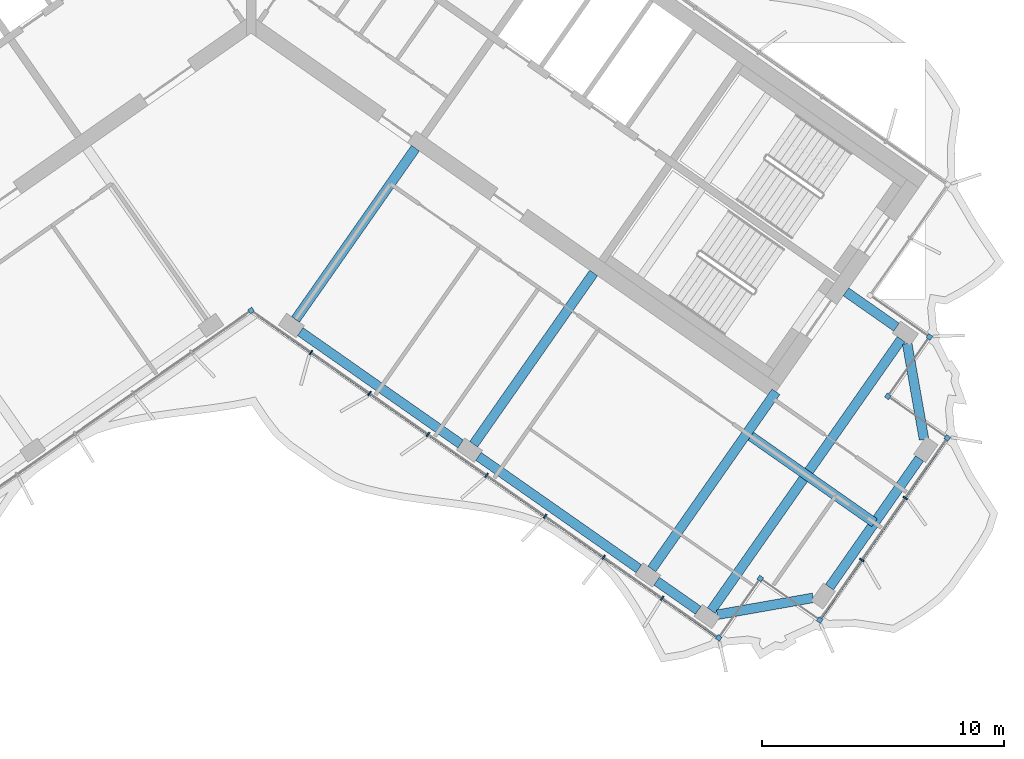
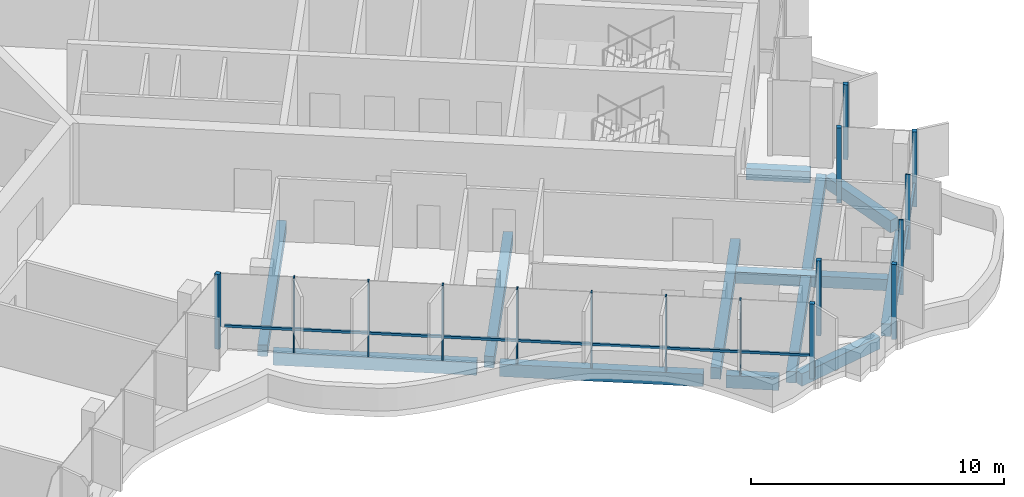
# One storey, part 4 of 17: 18 members, 12 beams, 1 element without a shape of its own.
"""IFC4 building model written with IfcOpenShell, lengths in metres."""

from ifc_helpers import new_model, si_unit, direction, frame, origin, origin_2d, place, context, subcontext, project, spatial, rectangle, extrude, material, material_profile, profile_set, type_object, element, aggregate, save


model = new_model("IFC4")

# Units and contexts
model_context = context("Model", 3, precision=1e-05, world=origin(), true_north=direction((0.0, 1.0)))
body_context = subcontext(model_context, "Body", "Model", "MODEL_VIEW")
ifc_project = project(units=[si_unit("LENGTHUNIT", "METRE"), si_unit("AREAUNIT", "SQUARE_METRE"), si_unit("VOLUMEUNIT", "CUBIC_METRE"), si_unit("PLANEANGLEUNIT", "RADIAN"), si_unit("MASSUNIT", "GRAM", prefix="KILO")], contexts=[model_context])

# Site, building, storey
site_placement = place(None, origin())
site = spatial("IfcSite", under=ifc_project, at=site_placement, CompositionType="ELEMENT")
building_placement = place(site_placement, origin())
building = spatial("IfcBuilding", under=site, at=building_placement, Name="Tel Ilan Convention Tower", CompositionType="ELEMENT")
storey_placement = place(building_placement, frame((0.0, 0.0, 276.10009765625)))
storey = spatial("IfcBuildingStorey", under=building, at=storey_placement, Name="L65", CompositionType="ELEMENT", Elevation=276.10009765625)

# Beams
ifc_material_1 = material(Name="Concrete C40/50", Category="concrete")
ifc_material_profile_1 = material_profile(ifc_material_1, rectangle(XDim=0.39990234375, YDim=0.550048828125, at=origin_2d()), Name="RC 400x550")
ifc_profile_set_1 = profile_set([ifc_material_profile_1], Name="Concrete C40/50")
beam_type_1 = type_object("IfcBeamType", Name="Beam RC 400x550 Concrete C40/50", PredefinedType="BEAM", material=ifc_profile_set_1)
beam_1_placement = place(storey_placement, frame((26.700927734375, -13.385986328125, -0.55517578125), z_axis=(-0.819119449707, 0.573622983424, 0.0), x_axis=(-0.573622983424, -0.819119449707, 0.0)))
element("IfcBeam", 1, at=beam_1_placement, inside=storey, type_object=beam_type_1, Name="L65 beam E-E-BC-core", PredefinedType="BEAM", context=body_context, shape_type="SweptSolid", body=[
    extrude(rectangle(XDim=0.39990234375, YDim=0.550048828125, at=origin_2d()), origin(), (0.0, 0.0, 1.0), 2.5498046875),
])
for number, where, z_axis, x_axis, name in (
    (2, (1.83740234375, -13.06689453125, -0.55517578125), (0.573574099654, 0.819153680457, 0.0), (-0.819153680457, 0.573574099654, 0.0), "L65 beam E-E-F1-core"),
    (3, (9.209716796875, -18.229248046875, -0.55517578125), (0.573574099654, 0.819153680457, 0.0), (-0.819153680457, 0.573574099654, 0.0), "L65 beam E-E-F2-core"),
):
    element("IfcBeam", number, at=place(storey_placement, frame(where, z_axis=z_axis, x_axis=x_axis)), inside=storey, type_object=beam_type_1, Name=name, PredefinedType="BEAM", context=body_context, shape_type="SweptSolid", body=[
        extrude(rectangle(XDim=0.39990234375, YDim=0.550048828125, at=origin_2d()), origin(), (0.0, 0.0, 1.0), 8.64990234375),
    ])
beam_2_placement = place(storey_placement, frame((16.58203125, -23.391357421875, -0.55517578125), z_axis=(0.573584999642, 0.819146048141, 0.0), x_axis=(-0.819146048141, 0.573584999642, 0.0)))
element("IfcBeam", 4, at=beam_2_placement, inside=storey, type_object=beam_type_1, Name="L65 beam E-E-F3-core", PredefinedType="BEAM", context=body_context, shape_type="SweptSolid", body=[
    extrude(rectangle(XDim=0.39990234375, YDim=0.550048828125, at=origin_2d()), origin(), (0.0, 0.0, 1.0), 8.949951171875),
])
beam_3_placement = place(storey_placement, frame((20.6748046875, -17.89501953125, -0.55517578125), z_axis=(0.819171356584, -0.573548854548, 0.0), x_axis=(0.573548854548, 0.819171356584, 0.0)))
element("IfcBeam", 5, at=beam_3_placement, inside=storey, type_object=beam_type_1, Name="L65 beam E-core-end", PredefinedType="BEAM", context=body_context, shape_type="SweptSolid", body=[
    extrude(rectangle(XDim=0.39990234375, YDim=0.550048828125, at=origin_2d()), origin(), (0.0, 0.0, 1.0), 6.25),
])
beam_4_placement = place(storey_placement, frame((19.03955078125, -25.112060546875, -0.55517578125), z_axis=(0.57357117602, 0.819155727587, 0.0), x_axis=(-0.819155727587, 0.57357117602, 0.0)))
element("IfcBeam", 6, at=beam_4_placement, inside=storey, type_object=beam_type_1, Name="L65 beam E-E-FC-E-BC", PredefinedType="BEAM", context=body_context, shape_type="SweptSolid", body=[
    extrude(rectangle(XDim=0.39990234375, YDim=0.550048828125, at=origin_2d()), origin(), (0.0, 0.0, 1.0), 13.699951171875),
])
ifc_material_2 = material(Name="Concrete C40/50", Category="concrete")
ifc_material_profile_2 = material_profile(ifc_material_2, rectangle(XDim=0.39990234375, YDim=0.60009765625, at=origin_2d()), Name="RC 400x600")
ifc_profile_set_2 = profile_set([ifc_material_profile_2], Name="Concrete C40/50")
beam_type_2 = type_object("IfcBeamType", Name="Beam RC 400x600 Concrete C40/50", PredefinedType="BEAM", material=ifc_profile_set_2)
beam_5_placement = place(storey_placement, frame((2.033935546875, -13.57080078125, -0.580078125), z_axis=(0.81914553362, -0.573585734437, 0.0), x_axis=(0.573585734437, 0.81914553362, 0.0)))
element("IfcBeam", 7, at=beam_5_placement, inside=storey, type_object=beam_type_2, Name="L65 beam E-E-F1-E-F2", PredefinedType="BEAM", context=body_context, shape_type="SweptSolid", body=[
    extrude(rectangle(XDim=0.39990234375, YDim=0.60009765625, at=origin_2d()), origin(), (0.0, 0.0, 1.0), 8.099853515625),
])
beam_6_placement = place(storey_placement, frame((9.40625, -18.73291015625, -0.580078125), z_axis=(0.819155449703, -0.573571572885, 0.0), x_axis=(0.573571572885, 0.819155449703, 0.0)))
element("IfcBeam", 8, at=beam_6_placement, inside=storey, type_object=beam_type_2, Name="L65 beam E-E-F2-E-F3", PredefinedType="BEAM", context=body_context, shape_type="SweptSolid", body=[
    extrude(rectangle(XDim=0.39990234375, YDim=0.60009765625, at=origin_2d()), origin(), (0.0, 0.0, 1.0), 8.10009765625),
])
beam_7_placement = place(storey_placement, frame((16.778564453125, -23.895263671875, -0.580078125), z_axis=(0.819188222026, -0.573524765719, 0.0), x_axis=(0.573524765719, 0.819188222026, 0.0)))
element("IfcBeam", 9, at=beam_7_placement, inside=storey, type_object=beam_type_2, Name="L65 beam E-E-F3-E-FC", PredefinedType="BEAM", context=body_context, shape_type="SweptSolid", body=[
    extrude(rectangle(XDim=0.39990234375, YDim=0.60009765625, at=origin_2d()), origin(), (0.0, 0.0, 1.0), 2.099853515625),
])
beam_8_placement = place(storey_placement, frame((19.285400390625, -25.2841796875, -0.580078125), z_axis=(0.984804894423, 0.173664388751, 0.0), x_axis=(-0.173664388751, 0.984804894423, 0.0)))
element("IfcBeam", 10, at=beam_8_placement, inside=storey, type_object=beam_type_2, Name="L65 beam E-E-FC-E-E1", PredefinedType="BEAM", context=body_context, shape_type="SweptSolid", body=[
    extrude(rectangle(XDim=0.39990234375, YDim=0.60009765625, at=origin_2d()), origin(), (0.0, 0.0, 1.0), 4.030517578125),
])
beam_9_placement = place(storey_placement, frame((23.930419921875, -24.14208984375, -0.580078125), z_axis=(0.573563169494, 0.819161333682, 0.0), x_axis=(-0.819161333682, 0.573563169494, 0.0)))
element("IfcBeam", 11, at=beam_9_placement, inside=storey, type_object=beam_type_2, Name="L65 beam E-E-E1-E-E2", PredefinedType="BEAM", context=body_context, shape_type="SweptSolid", body=[
    extrude(rectangle(XDim=0.39990234375, YDim=0.60009765625, at=origin_2d()), origin(), (0.0, 0.0, 1.0), 6.500244140625),
])
beam_10_placement = place(storey_placement, frame((27.84326171875, -18.031005859375, -0.580078125), z_axis=(-0.173664388751, 0.984804894423, 0.0), x_axis=(-0.984804894423, -0.173664388751, 0.0)))
element("IfcBeam", 12, at=beam_10_placement, inside=storey, type_object=beam_type_2, Name="L65 beam E-E-E2-E-BC", PredefinedType="BEAM", context=body_context, shape_type="SweptSolid", body=[
    extrude(rectangle(XDim=0.39990234375, YDim=0.60009765625, at=origin_2d()), origin(), (0.0, 0.0, 1.0), 4.030517578125),
])

# Curtain wall, members
ifc_material_3 = material(Name="Aluminium, bronze anodised", Category="aluminium")
curtain_wall_type = type_object("IfcCurtainWallType", Name="CW5 STICK CURTAIN WALL, UPPER OFFICE LOW-IRON TINTED GLASS", PredefinedType="NOTDEFINED", material=ifc_material_3)
curtain_wall_placement = place(storey_placement, origin())
curtain_wall = element("IfcCurtainWall", 13, at=curtain_wall_placement, inside=storey, type_object=curtain_wall_type, Name="Curtain wall CW5-50.02", PredefinedType="NOTDEFINED")
ifc_material_4 = material(Name="Aluminium, bronze anodised", Category="aluminium")
ifc_material_profile_3 = material_profile(ifc_material_4, rectangle(XDim=0.199951171875, YDim=0.199951171875, at=origin_2d()), Name="CW CORNER MULLION 200x200")
ifc_profile_set_3 = profile_set([ifc_material_profile_3], Name="Aluminium, bronze anodised")
member_type_1 = type_object("IfcMemberType", Name="CW CORNER MULLION 200x200", PredefinedType="MULLION", material=ifc_profile_set_3)
member_1_placement = place(storey_placement, frame((0.0, -12.696044921875, 0.0), z_axis=(0.0, 0.0, 1.0), x_axis=(0.819152044289, 0.573576436351, 0.0)))
member_1 = element("IfcMember", 14, at=member_1_placement, type_object=member_type_1, Name="Corner mullion", PredefinedType="MULLION", context=body_context, shape_type="SweptSolid", body=[
    extrude(rectangle(XDim=0.199951171875, YDim=0.199951171875, at=origin_2d()), origin(), (0.0, 0.0, 1.0), 3.619873046875),
])
member_2_placement = place(storey_placement, frame((19.3466796875, -26.24267578125, 0.0), z_axis=(0.0, 0.0, 1.0), x_axis=(0.819152044289, -0.573576436351, 0.0)))
member_2 = element("IfcMember", 15, at=member_2_placement, type_object=member_type_1, Name="Corner mullion", PredefinedType="MULLION", context=body_context, shape_type="SweptSolid", body=[
    extrude(rectangle(XDim=0.199951171875, YDim=0.199951171875, at=origin_2d()), origin(), (0.0, 0.0, 1.0), 3.619873046875),
])
member_3_placement = place(storey_placement, frame((21.0673828125, -23.78515625, 0.0), z_axis=(0.0, 0.0, 1.0), x_axis=(0.573576436351, 0.819152044289, 0.0)))
member_3 = element("IfcMember", 16, at=member_3_placement, type_object=member_type_1, Name="Corner mullion", PredefinedType="MULLION", context=body_context, shape_type="SweptSolid", body=[
    extrude(rectangle(XDim=0.199951171875, YDim=0.199951171875, at=origin_2d()), origin(), (0.0, 0.0, 1.0), 3.619873046875),
])
member_4_placement = place(storey_placement, frame((23.52490234375, -25.505859375, 0.0), z_axis=(0.0, 0.0, 1.0), x_axis=(0.819152044289, -0.573576436351, 0.0)))
member_4 = element("IfcMember", 17, at=member_4_placement, type_object=member_type_1, Name="Corner mullion", PredefinedType="MULLION", context=body_context, shape_type="SweptSolid", body=[
    extrude(rectangle(XDim=0.199951171875, YDim=0.199951171875, at=origin_2d()), origin(), (0.0, 0.0, 1.0), 3.619873046875),
])
member_5_placement = place(storey_placement, frame((28.8017578125, -17.9697265625, 0.0), z_axis=(0.0, 0.0, 1.0), x_axis=(0.573576436351, 0.819152044289, 0.0)))
member_5 = element("IfcMember", 18, at=member_5_placement, type_object=member_type_1, Name="Corner mullion", PredefinedType="MULLION", context=body_context, shape_type="SweptSolid", body=[
    extrude(rectangle(XDim=0.199951171875, YDim=0.199951171875, at=origin_2d()), origin(), (0.0, 0.0, 1.0), 3.619873046875),
])
member_6_placement = place(storey_placement, frame((26.34423828125, -16.2490234375, 0.0), z_axis=(0.0, 0.0, 1.0), x_axis=(-0.819152044289, 0.573576436351, 0.0)))
member_6 = element("IfcMember", 19, at=member_6_placement, type_object=member_type_1, Name="Corner mullion", PredefinedType="MULLION", context=body_context, shape_type="SweptSolid", body=[
    extrude(rectangle(XDim=0.199951171875, YDim=0.199951171875, at=origin_2d()), origin(), (0.0, 0.0, 1.0), 3.619873046875),
])
member_7_placement = place(storey_placement, frame((28.06494140625, -13.79150390625, 0.0), z_axis=(0.0, 0.0, 1.0), x_axis=(0.573576436351, 0.819152044289, 0.0)))
member_7 = element("IfcMember", 20, at=member_7_placement, type_object=member_type_1, Name="Corner mullion", PredefinedType="MULLION", context=body_context, shape_type="SweptSolid", body=[
    extrude(rectangle(XDim=0.199951171875, YDim=0.199951171875, at=origin_2d()), origin(), (0.0, 0.0, 1.0), 3.619873046875),
])
ifc_material_5 = material(Name="Aluminium, bronze anodised", Category="aluminium")
ifc_material_profile_4 = material_profile(ifc_material_5, rectangle(XDim=0.06005859375, YDim=0.199951171875, at=origin_2d()), Name="CW MULLION 60x200")
ifc_profile_set_4 = profile_set([ifc_material_profile_4], Name="Aluminium, bronze anodised")
member_type_2 = type_object("IfcMemberType", Name="CW MULLION 60x200", PredefinedType="MULLION", material=ifc_profile_set_4)
member_8_placement = place(storey_placement, frame((2.478759765625, -14.431640625, 0.0), z_axis=(0.0, 0.0, 1.0), x_axis=(0.819152044289, -0.573576436351, 0.0)))
member_8 = element("IfcMember", 21, at=member_8_placement, type_object=member_type_2, Name="Mullion", PredefinedType="MULLION", context=body_context, shape_type="SweptSolid", body=[
    extrude(rectangle(XDim=0.06005859375, YDim=0.199951171875, at=origin_2d()), origin(), (0.0, 0.0, 1.0), 3.619873046875),
])
member_9_placement = place(storey_placement, frame((4.900146484375, -16.127197265625, 0.0), z_axis=(0.0, 0.0, 1.0), x_axis=(0.819152044289, -0.573576436351, 0.0)))
member_9 = element("IfcMember", 22, at=member_9_placement, type_object=member_type_2, Name="Mullion", PredefinedType="MULLION", context=body_context, shape_type="SweptSolid", body=[
    extrude(rectangle(XDim=0.06005859375, YDim=0.199951171875, at=origin_2d()), origin(), (0.0, 0.0, 1.0), 3.619873046875),
])
member_10_placement = place(storey_placement, frame((7.321533203125, -17.82275390625, 0.0), z_axis=(0.0, 0.0, 1.0), x_axis=(0.819152044289, -0.573576436351, 0.0)))
member_10 = element("IfcMember", 23, at=member_10_placement, type_object=member_type_2, Name="Mullion", PredefinedType="MULLION", context=body_context, shape_type="SweptSolid", body=[
    extrude(rectangle(XDim=0.06005859375, YDim=0.199951171875, at=origin_2d()), origin(), (0.0, 0.0, 1.0), 3.619873046875),
])
member_11_placement = place(storey_placement, frame((9.742919921875, -19.51806640625, 0.0), z_axis=(0.0, 0.0, 1.0), x_axis=(0.819152044289, -0.573576436351, 0.0)))
member_11 = element("IfcMember", 24, at=member_11_placement, type_object=member_type_2, Name="Mullion", PredefinedType="MULLION", context=body_context, shape_type="SweptSolid", body=[
    extrude(rectangle(XDim=0.06005859375, YDim=0.199951171875, at=origin_2d()), origin(), (0.0, 0.0, 1.0), 3.619873046875),
])
member_12_placement = place(storey_placement, frame((12.164306640625, -21.213623046875, 0.0), z_axis=(0.0, 0.0, 1.0), x_axis=(0.819152044289, -0.573576436351, 0.0)))
member_12 = element("IfcMember", 25, at=member_12_placement, type_object=member_type_2, Name="Mullion", PredefinedType="MULLION", context=body_context, shape_type="SweptSolid", body=[
    extrude(rectangle(XDim=0.06005859375, YDim=0.199951171875, at=origin_2d()), origin(), (0.0, 0.0, 1.0), 3.619873046875),
])
member_13_placement = place(storey_placement, frame((14.585693359375, -22.9091796875, 0.0), z_axis=(0.0, 0.0, 1.0), x_axis=(0.819152044289, -0.573576436351, 0.0)))
member_13 = element("IfcMember", 26, at=member_13_placement, type_object=member_type_2, Name="Mullion", PredefinedType="MULLION", context=body_context, shape_type="SweptSolid", body=[
    extrude(rectangle(XDim=0.06005859375, YDim=0.199951171875, at=origin_2d()), origin(), (0.0, 0.0, 1.0), 3.619873046875),
])
member_14_placement = place(storey_placement, frame((17.007080078125, -24.6044921875, 0.0), z_axis=(0.0, 0.0, 1.0), x_axis=(0.819152044289, -0.573576436351, 0.0)))
member_14 = element("IfcMember", 27, at=member_14_placement, type_object=member_type_2, Name="Mullion", PredefinedType="MULLION", context=body_context, shape_type="SweptSolid", body=[
    extrude(rectangle(XDim=0.06005859375, YDim=0.199951171875, at=origin_2d()), origin(), (0.0, 0.0, 1.0), 3.619873046875),
])
member_15_placement = place(storey_placement, frame((25.2646484375, -23.021240234375, 0.0), z_axis=(0.0, 0.0, 1.0), x_axis=(0.573576436351, 0.819152044289, 0.0)))
member_15 = element("IfcMember", 28, at=member_15_placement, type_object=member_type_2, Name="Mullion", PredefinedType="MULLION", context=body_context, shape_type="SweptSolid", body=[
    extrude(rectangle(XDim=0.06005859375, YDim=0.199951171875, at=origin_2d()), origin(), (0.0, 0.0, 1.0), 3.619873046875),
])
member_16_placement = place(storey_placement, frame((27.061767578125, -20.45458984375, 0.0), z_axis=(0.0, 0.0, 1.0), x_axis=(0.573576436351, 0.819152044289, 0.0)))
member_16 = element("IfcMember", 29, at=member_16_placement, type_object=member_type_2, Name="Mullion", PredefinedType="MULLION", context=body_context, shape_type="SweptSolid", body=[
    extrude(rectangle(XDim=0.06005859375, YDim=0.199951171875, at=origin_2d()), origin(), (0.0, 0.0, 1.0), 3.619873046875),
])
ifc_material_6 = material(Name="Aluminium, bronze anodised", Category="aluminium")
ifc_material_profile_5 = material_profile(ifc_material_6, rectangle(XDim=0.10009765625, YDim=0.1201171875, at=origin_2d()), Name="CW TRANSOM 100x120")
ifc_profile_set_5 = profile_set([ifc_material_profile_5], Name="Aluminium, bronze anodised")
member_type_3 = type_object("IfcMemberType", Name="CW TRANSOM 100x120", PredefinedType="USERDEFINED", material=ifc_profile_set_5)
member_17_placement = place(storey_placement, frame((0.22119140625, -12.850830078125, 1.099853515625), z_axis=(0.81915001336, -0.573579336808, 0.0), x_axis=(0.573579336808, 0.81915001336, 0.0)))
member_17 = element("IfcMember", 30, at=member_17_placement, type_object=member_type_3, Name="Transom", ObjectType="TRANSOM", PredefinedType="USERDEFINED", context=body_context, shape_type="SweptSolid", body=[
    extrude(rectangle(XDim=0.10009765625, YDim=0.1201171875, at=origin_2d()), origin(), (0.0, 0.0, 1.0), 23.247802734375),
])
member_18_placement = place(storey_placement, frame((23.58203125, -25.424072265625, 1.099853515625), z_axis=(0.573591598124, 0.819141427692, 0.0), x_axis=(-0.819141427692, 0.573591598124, 0.0)))
member_18 = element("IfcMember", 31, at=member_18_placement, type_object=member_type_3, Name="Transom", ObjectType="TRANSOM", PredefinedType="USERDEFINED", context=body_context, shape_type="SweptSolid", body=[
    extrude(rectangle(XDim=0.10009765625, YDim=0.1201171875, at=origin_2d()), origin(), (0.0, 0.0, 1.0), 9.0),
])
aggregate(curtain_wall, [member_1, member_8, member_9, member_10, member_11, member_12, member_13, member_14, member_2, member_17, member_3, member_4, member_15, member_16, member_5, member_18, member_6, member_7])

save(model, "model.ifc")
